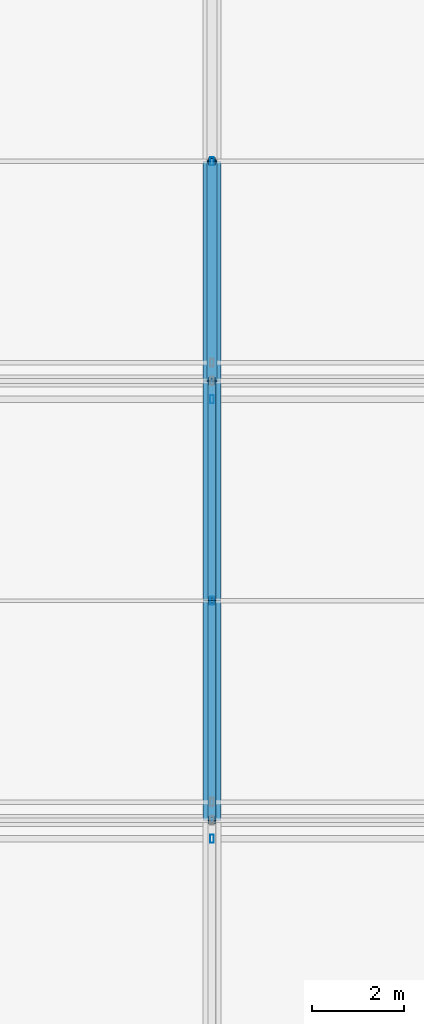
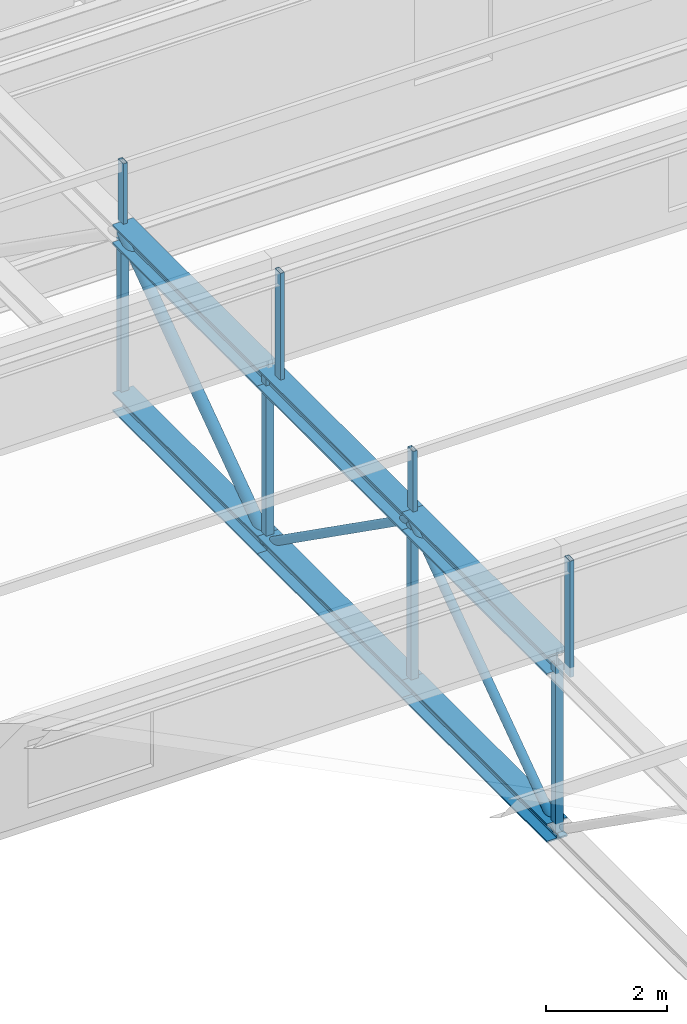
# One storey, part 69 of 136: 11 members, 6 beams.
"""IFC4 building model written with IfcOpenShell, lengths in metres."""

from ifc_helpers import new_model, si_unit, direction, frame, origin, origin_2d, place, context, subcontext, project, spatial, hollow_rectangle, hollow_circle, i_section, extrude, material, material_profile, profile_set, type_object, element, save


model = new_model("IFC4")

# Units and contexts
model_context = context("Model", 3, precision=1e-05, world=origin(), true_north=direction((0.0, 1.0)))
body_context = subcontext(model_context, "Body", "Model", "MODEL_VIEW")
ifc_project = project(units=[si_unit("LENGTHUNIT", "METRE"), si_unit("AREAUNIT", "SQUARE_METRE"), si_unit("VOLUMEUNIT", "CUBIC_METRE"), si_unit("PLANEANGLEUNIT", "RADIAN"), si_unit("MASSUNIT", "GRAM", prefix="KILO")], contexts=[model_context])

# Site, building, storey
site_placement = place(None, origin())
site = spatial("IfcSite", under=ifc_project, at=site_placement, CompositionType="ELEMENT")
building_placement = place(site_placement, origin())
building = spatial("IfcBuilding", under=site, at=building_placement, Name="Kisiwana Market Hall", CompositionType="ELEMENT")
storey_placement = place(building_placement, frame((0.0, 0.0, 16.800048828125)))
storey = spatial("IfcBuildingStorey", under=building, at=storey_placement, Name="L03", CompositionType="ELEMENT", Elevation=16.800048828125)

# Beams
ifc_material_1 = material(Name="Steel S355", Category="steel")
ifc_material_profile_1 = material_profile(ifc_material_1, i_section(OverallWidth=0.394775390625, OverallDepth=0.381103515625, WebThickness=0.018310546875, FlangeThickness=0.0302734375, at=origin_2d()), Name="UC 356x406x235")
ifc_profile_set_1 = profile_set([ifc_material_profile_1], Name="Steel S355")
beam_type_1 = type_object("IfcBeamType", Name="BM-TRUSS-BOT", PredefinedType="USERDEFINED", material=ifc_profile_set_1)
beam_1_placement = place(storey_placement, frame((135.0, 64.800048828125, 0.22998046875), z_axis=(0.0, 1.0, 0.0), x_axis=(-1.0, 0.0, 0.0)))
element("IfcBeam", 1, at=beam_1_placement, inside=storey, type_object=beam_type_1, Name="TR-07 BC panel 7 B-1304", ObjectType="ROOF TRUSS", PredefinedType="USERDEFINED", context=body_context, shape_type="SweptSolid", body=[
    extrude(i_section(OverallWidth=0.394775390625, OverallDepth=0.381103515625, WebThickness=0.018310546875, FlangeThickness=0.0302734375, at=origin_2d()), origin(), (0.0, 0.0, 1.0), 4.800048828125),
])
beam_2_placement = place(storey_placement, frame((135.0, 69.60009765625, 0.22998046875), z_axis=(0.0, 1.0, 0.0), x_axis=(-1.0, 0.0, 0.0)))
element("IfcBeam", 2, at=beam_2_placement, inside=storey, type_object=beam_type_1, Name="TR-07 BC panel 8 B-1305", ObjectType="ROOF TRUSS", PredefinedType="USERDEFINED", context=body_context, shape_type="SweptSolid", body=[
    extrude(i_section(OverallWidth=0.394775390625, OverallDepth=0.381103515625, WebThickness=0.018310546875, FlangeThickness=0.0302734375, at=origin_2d()), origin(), (0.0, 0.0, 1.0), 4.7998046875),
])
beam_3_placement = place(storey_placement, frame((135.0, 74.39990234375, 0.22998046875), z_axis=(0.0, 1.0, 0.0), x_axis=(-1.0, 0.0, 0.0)))
element("IfcBeam", 3, at=beam_3_placement, inside=storey, type_object=beam_type_1, Name="TR-07 BC panel 9 B-1306", ObjectType="ROOF TRUSS", PredefinedType="USERDEFINED", context=body_context, shape_type="SweptSolid", body=[
    extrude(i_section(OverallWidth=0.394775390625, OverallDepth=0.381103515625, WebThickness=0.018310546875, FlangeThickness=0.0302734375, at=origin_2d()), origin(), (0.0, 0.0, 1.0), 4.800048828125),
])
ifc_material_2 = material(Name="Steel S355", Category="steel")
ifc_material_profile_2 = material_profile(ifc_material_2, i_section(OverallWidth=0.39892578125, OverallDepth=0.3935546875, WebThickness=0.022705078125, FlangeThickness=0.03662109375, at=origin_2d()), Name="UC 356x406x287")
ifc_profile_set_2 = profile_set([ifc_material_profile_2], Name="Steel S355")
beam_type_2 = type_object("IfcBeamType", Name="BM-TRUSS-TOP", PredefinedType="USERDEFINED", material=ifc_profile_set_2)
beam_4_placement = place(storey_placement, frame((135.0, 64.800048828125, 3.619873046875), z_axis=(0.0, 1.0, 0.0), x_axis=(-1.0, 0.0, 0.0)))
element("IfcBeam", 4, at=beam_4_placement, inside=storey, type_object=beam_type_2, Name="TR-07 TC panel 7 B-1314", ObjectType="ROOF TRUSS", PredefinedType="USERDEFINED", context=body_context, shape_type="SweptSolid", body=[
    extrude(i_section(OverallWidth=0.39892578125, OverallDepth=0.3935546875, WebThickness=0.022705078125, FlangeThickness=0.03662109375, at=origin_2d()), origin(), (0.0, 0.0, 1.0), 4.800048828125),
])
beam_5_placement = place(storey_placement, frame((135.0, 69.60009765625, 3.619873046875), z_axis=(0.0, 1.0, 0.0), x_axis=(-1.0, 0.0, 0.0)))
element("IfcBeam", 5, at=beam_5_placement, inside=storey, type_object=beam_type_2, Name="TR-07 TC panel 8 B-1315", ObjectType="ROOF TRUSS", PredefinedType="USERDEFINED", context=body_context, shape_type="SweptSolid", body=[
    extrude(i_section(OverallWidth=0.39892578125, OverallDepth=0.3935546875, WebThickness=0.022705078125, FlangeThickness=0.03662109375, at=origin_2d()), origin(), (0.0, 0.0, 1.0), 4.7998046875),
])
beam_6_placement = place(storey_placement, frame((135.0, 74.39990234375, 3.619873046875), z_axis=(0.0, 1.0, 0.0), x_axis=(-1.0, 0.0, 0.0)))
element("IfcBeam", 6, at=beam_6_placement, inside=storey, type_object=beam_type_2, Name="TR-07 TC panel 9 B-1316", ObjectType="ROOF TRUSS", PredefinedType="USERDEFINED", context=body_context, shape_type="SweptSolid", body=[
    extrude(i_section(OverallWidth=0.39892578125, OverallDepth=0.3935546875, WebThickness=0.022705078125, FlangeThickness=0.03662109375, at=origin_2d()), origin(), (0.0, 0.0, 1.0), 4.800048828125),
])

# Members
ifc_material_3 = material(Name="Steel S355", Category="steel")
ifc_material_profile_3 = material_profile(ifc_material_3, hollow_rectangle(XDim=0.080078125, YDim=0.179931640625, WallThickness=0.00634765625, at=origin_2d()), Name="RHS 180x80x6.3")
ifc_profile_set_3 = profile_set([ifc_material_profile_3], Name="Steel S355")
member_type_1 = type_object("IfcMemberType", Name="MB-CAN-STRUT", PredefinedType="STRUT", material=ifc_profile_set_3)
for number, where, z_axis, x_axis, name in (
    (7, (135.0, 64.39990234375, 3.619873046875), (0.0, 0.0, 1.0), (1.0, 0.0, 0.0), "Sawtooth raker post 262 M-0291"),
    (8, (135.0, 74.0, 3.619873046875), (0.0, 0.0, 1.0), (1.0, 0.0, 0.0), "Sawtooth raker post 307 M-0315"),
):
    element("IfcMember", number, at=place(storey_placement, frame(where, z_axis=z_axis, x_axis=x_axis)), inside=storey, type_object=member_type_1, Name=name, PredefinedType="STRUT", context=body_context, shape_type="SweptSolid", body=[
        extrude(hollow_rectangle(XDim=0.080078125, YDim=0.179931640625, WallThickness=0.00634765625, at=origin_2d()), origin(), (0.0, 0.0, 1.0), 2.355712890625),
    ])
for number, where, z_axis, x_axis, name in (
    (9, (135.0, 69.60009765625, 3.619873046875), (0.0, 0.0, 1.0), (1.0, 0.0, 0.0), "Sawtooth mid-slope raker post 50 M-0081"),
    (10, (135.0, 79.199951171875, 3.619873046875), (0.0, 0.0, 1.0), (1.0, 0.0, 0.0), "Sawtooth mid-slope raker post 65 M-0089"),
):
    element("IfcMember", number, at=place(storey_placement, frame(where, z_axis=z_axis, x_axis=x_axis)), inside=storey, type_object=member_type_1, Name=name, PredefinedType="STRUT", context=body_context, shape_type="SweptSolid", body=[
        extrude(hollow_rectangle(XDim=0.080078125, YDim=0.179931640625, WallThickness=0.00634765625, at=origin_2d()), origin(), (0.0, 0.0, 1.0), 1.42041015625),
    ])
ifc_material_4 = material(Name="Steel S355", Category="steel")
ifc_material_profile_4 = material_profile(ifc_material_4, hollow_circle(Radius=0.084228515625, WallThickness=0.010009765625, at=origin_2d()), Name="CHS 168.3x10.0")
ifc_profile_set_4 = profile_set([ifc_material_profile_4], Name="Steel S355")
member_type_2 = type_object("IfcMemberType", Name="MB-TR-DIAG168", PredefinedType="BRACE", material=ifc_profile_set_4)
member_1_placement = place(storey_placement, frame((135.0, 64.800048828125, 0.22998046875), z_axis=(0.0, 0.816837735077, 0.576867501732), x_axis=(-1.0, 0.0, 0.0)))
element("IfcMember", 11, at=member_1_placement, inside=storey, type_object=member_type_2, Name="TR-07 diagonal 7 M-0456", PredefinedType="BRACE", context=body_context, shape_type="SweptSolid", body=[
    extrude(hollow_circle(Radius=0.084228515625, WallThickness=0.010009765625, at=origin_2d()), origin(), (0.0, 0.0, 1.0), 5.87646484375),
])
member_2_placement = place(storey_placement, frame((135.0, 69.60009765625, 3.619873046875), z_axis=(0.0, 0.816823908826, -0.576887079046), x_axis=(-1.0, 0.0, 0.0)))
element("IfcMember", 12, at=member_2_placement, inside=storey, type_object=member_type_2, Name="TR-07 diagonal 8 M-0457", PredefinedType="BRACE", context=body_context, shape_type="SweptSolid", body=[
    extrude(hollow_circle(Radius=0.084228515625, WallThickness=0.010009765625, at=origin_2d()), origin(), (0.0, 0.0, 1.0), 5.876220703125),
])
ifc_material_5 = material(Name="Steel S355", Category="steel")
ifc_material_profile_5 = material_profile(ifc_material_5, hollow_circle(Radius=0.109619140625, WallThickness=0.012451171875, at=origin_2d()), Name="CHS 219.1x12.5")
ifc_profile_set_5 = profile_set([ifc_material_profile_5], Name="Steel S355")
member_type_3 = type_object("IfcMemberType", Name="MB-TR-DIAG219", PredefinedType="BRACE", material=ifc_profile_set_5)
member_3_placement = place(storey_placement, frame((135.0, 74.39990234375, 0.22998046875), z_axis=(0.0, 0.816837735077, 0.576867501732), x_axis=(-1.0, 0.0, 0.0)))
element("IfcMember", 13, at=member_3_placement, inside=storey, type_object=member_type_3, Name="TR-07 diagonal 9 M-0458", PredefinedType="BRACE", context=body_context, shape_type="SweptSolid", body=[
    extrude(hollow_circle(Radius=0.109619140625, WallThickness=0.012451171875, at=origin_2d()), origin(), (0.0, 0.0, 1.0), 5.87646484375),
])
ifc_material_6 = material(Name="Steel S355", Category="steel")
ifc_material_profile_6 = material_profile(ifc_material_6, hollow_rectangle(XDim=0.14990234375, YDim=0.14990234375, WallThickness=0.008056640625, at=origin_2d()), Name="SHS 150x150x8.0")
ifc_profile_set_6 = profile_set([ifc_material_profile_6], Name="Steel S355")
member_type_4 = type_object("IfcMemberType", Name="MB-TR-STRUT200", PredefinedType="STRUT", material=ifc_profile_set_6)
for number, where, z_axis, x_axis, name in (
    (14, (135.0, 64.800048828125, 0.22998046875), (0.0, 0.0, 1.0), (1.0, 0.0, 0.0), "TR-07 vertical strut 7 M-0465"),
    (15, (135.0, 69.60009765625, 0.22998046875), (0.0, 0.0, 1.0), (1.0, 0.0, 0.0), "TR-07 vertical strut 8 M-0466"),
    (16, (135.0, 74.39990234375, 0.22998046875), (0.0, 0.0, 1.0), (1.0, 0.0, 0.0), "TR-07 vertical strut 9 M-0467"),
    (17, (135.0, 79.199951171875, 0.22998046875), (0.0, 0.0, 1.0), (1.0, 0.0, 0.0), "TR-07 vertical strut 10 M-0459"),
):
    element("IfcMember", number, at=place(storey_placement, frame(where, z_axis=z_axis, x_axis=x_axis)), inside=storey, type_object=member_type_4, Name=name, PredefinedType="STRUT", context=body_context, shape_type="SweptSolid", body=[
        extrude(hollow_rectangle(XDim=0.14990234375, YDim=0.14990234375, WallThickness=0.008056640625, at=origin_2d()), origin(), (0.0, 0.0, 1.0), 3.389892578125),
    ])

save(model, "model.ifc")
